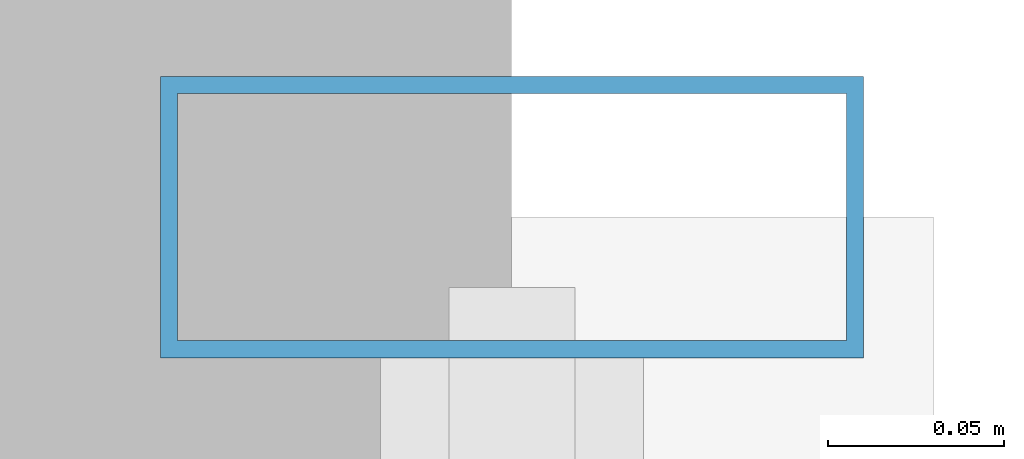
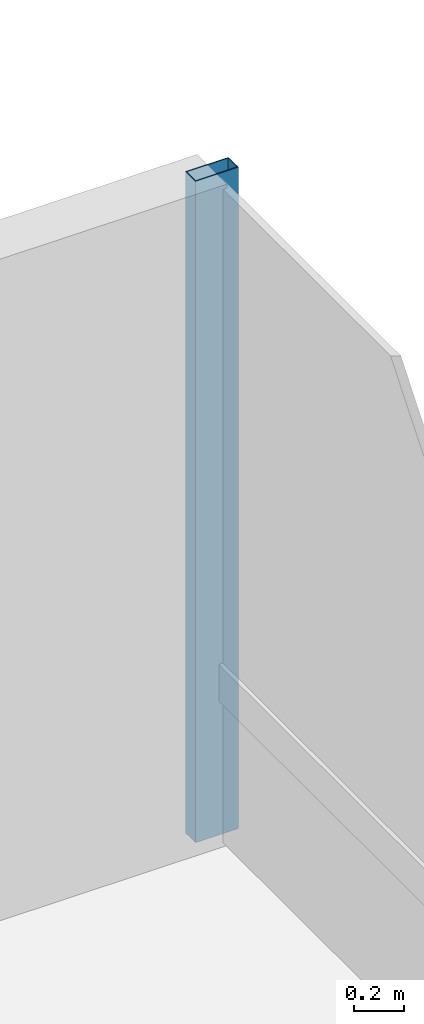
# One storey, part 26 of 34: 1 member, 1 element without a shape of its own.
"""IFC4 building model written with IfcOpenShell, lengths in metres."""

import ifcopenshell
import ifcopenshell.guid

model = None  # the IFC model being written
_history = None  # IfcOwnerHistory: only IFC2X3 demands one
_inside = {}  # id of a spatial element -> (the spatial element, [elements in it])
_under = {}  # id of a project, library or spatial element -> (it, [spatial elements below it])
_declared = {}  # id of a project -> (the project, [libraries it declares])
_typed = {}  # id of a type object -> (the type object, [elements of that type])
_made_of = {}  # id of a material, layer set ... -> (it, [elements and type objects made of it])


def new_model(schema):
    """Start an empty IFC model of exactly this schema.

    Asked for "IFC4X3", IfcOpenShell would pick the latest addendum, in which some entities
    have other attributes; the version numbers below select the first issue.
    IFC2X3 requires an IfcOwnerHistory on every rooted entity: one is made here for all.
    """
    global model, _history
    if schema == "IFC4X3":
        model = ifcopenshell.file(schema_version=(4, 3, 0, 0))
    else:
        model = ifcopenshell.file(schema=schema)
    _inside.clear()
    _under.clear()
    _declared.clear()
    _typed.clear()
    _made_of.clear()
    _history = None
    if model.schema == "IFC2X3":
        org = make("IfcOrganization", Name="unknown")
        user = make(
            "IfcPersonAndOrganization",
            ThePerson=make("IfcPerson", FamilyName="unknown"),
            TheOrganization=org,
        )
        app = make(
            "IfcApplication",
            ApplicationDeveloper=org,
            Version="unknown",
            ApplicationFullName="unknown",
            ApplicationIdentifier="unknown",
        )
        _history = make(
            "IfcOwnerHistory",
            OwningUser=user,
            OwningApplication=app,
            ChangeAction="ADDED",
            CreationDate=0,
        )
    return model


def make(cls, **values):
    """One entity of the class cls with the attributes given. An attribute that is None is left unset."""
    return model.create_entity(
        cls, **{name: value for name, value in values.items() if value is not None}
    )


def rooted(cls, **values):
    """An entity with a GlobalId (a new one), such as an element, a storey or a relation."""
    return make(cls, GlobalId=ifcopenshell.guid.new(), OwnerHistory=_history, **values)


def si_unit(unit_type, name, prefix=None):
    """IfcSIUnit, for example si_unit("LENGTHUNIT", "METRE", prefix="MILLI")."""
    return make("IfcSIUnit", UnitType=unit_type, Prefix=prefix, Name=name)


def assignment(units):
    """IfcUnitAssignment: the units of a project."""
    return None if units is None else make("IfcUnitAssignment", Units=units)


def point(xyz):
    """IfcCartesianPoint."""
    return None if xyz is None else make("IfcCartesianPoint", Coordinates=xyz)


def direction(xyz):
    """IfcDirection."""
    return None if xyz is None else make("IfcDirection", DirectionRatios=xyz)


def frame(location, z_axis=None, x_axis=None):
    """IfcAxis2Placement3D, a coordinate frame: its origin and axes. An axis left out is left unset."""
    return make(
        "IfcAxis2Placement3D",
        Location=point(location),
        Axis=direction(z_axis),
        RefDirection=direction(x_axis),
    )


def frame_2d(location, x_axis=None):
    """IfcAxis2Placement2D, a coordinate frame in the plane: its origin and x axis."""
    return make(
        "IfcAxis2Placement2D", Location=point(location), RefDirection=direction(x_axis)
    )


def origin():
    """The frame at (0, 0, 0) with its axes left unset."""
    return frame((0.0, 0.0, 0.0))


def origin_2d():
    """The frame at (0, 0) in the plane with its x axis left unset."""
    return frame_2d((0.0, 0.0))


def place(relative_to, where):
    """IfcLocalPlacement: puts the frame where relative to a parent placement (None: the world)."""
    return make(
        "IfcLocalPlacement", PlacementRelTo=relative_to, RelativePlacement=where
    )


def context(
    kind, dimensions, precision=None, world=None, true_north=None, identifier=None
):
    """IfcGeometricRepresentationContext, for example the 3D "Model" context."""
    return make(
        "IfcGeometricRepresentationContext",
        ContextIdentifier=identifier,
        ContextType=kind,
        CoordinateSpaceDimension=dimensions,
        Precision=precision,
        WorldCoordinateSystem=world,
        TrueNorth=true_north,
    )


def subcontext(parent, identifier, kind, view, scale=None):
    """IfcGeometricRepresentationSubContext, for example "Body" below "Model"."""
    return make(
        "IfcGeometricRepresentationSubContext",
        ContextIdentifier=identifier,
        ContextType=kind,
        ParentContext=parent,
        TargetScale=scale,
        TargetView=view,
    )


def project(units=None, contexts=None):
    """IfcProject with its units and contexts."""
    return rooted(
        "IfcProject",
        Name="project",
        RepresentationContexts=contexts,
        UnitsInContext=assignment(units),
    )


def spatial(cls, under=None, at=None, **own):
    """A site, building, storey or space (cls), placed at a placement, below another one or the project."""
    s = rooted(cls, ObjectPlacement=at, **own)
    if under is not None:
        _under.setdefault(under.id(), (under, []))[1].append(s)
    return s


def profile(cls, at=None, kind="AREA", **sizes):
    """A parametric profile (cls). Its sizes go by their IFC names, for example OverallWidth=200.0."""
    return make(cls, ProfileType=kind, Position=at, **sizes)


def hollow_rectangle(**sizes):
    """IfcRectangleHollowProfileDef."""
    return profile("IfcRectangleHollowProfileDef", **sizes)


def extrude(swept, where, along, depth):
    """IfcExtrudedAreaSolid: the profile swept, set in the frame where, extruded along a direction by depth."""
    return make(
        "IfcExtrudedAreaSolid",
        SweptArea=swept,
        Position=where,
        ExtrudedDirection=direction(along),
        Depth=depth,
    )


def shape(context_of_items, identifier, shape_type, items):
    """IfcShapeRepresentation: the items that make up one representation, for example the "Body"."""
    return make(
        "IfcShapeRepresentation",
        ContextOfItems=context_of_items,
        RepresentationIdentifier=identifier,
        RepresentationType=shape_type,
        Items=items,
    )


def material(Name=None, Category=None):
    """IfcMaterial."""
    return make("IfcMaterial", Name=Name, Category=Category)


def layer(
    of_material, thickness, ventilated=None, Name=None, Category=None, Priority=None
):
    """IfcMaterialLayer: one layer of a wall or slab, of a material (None: an air gap)."""
    return make(
        "IfcMaterialLayer",
        Material=of_material,
        LayerThickness=thickness,
        IsVentilated=ventilated,
        Name=Name,
        Category=Category,
        Priority=Priority,
    )


def layer_set(layers, Name=None):
    """IfcMaterialLayerSet."""
    return make("IfcMaterialLayerSet", MaterialLayers=layers, LayerSetName=Name)


def material_profile(
    of_material, cross_section, Name=None, Category=None, Priority=None
):
    """IfcMaterialProfile: a cross section and its material."""
    return make(
        "IfcMaterialProfile",
        Name=Name,
        Material=of_material,
        Profile=cross_section,
        Priority=Priority,
        Category=Category,
    )


def profile_set(profiles, Name=None, composite=None):
    """IfcMaterialProfileSet."""
    return make(
        "IfcMaterialProfileSet",
        Name=Name,
        MaterialProfiles=profiles,
        CompositeProfile=composite,
    )


def made_of(thing, what):
    """Note that an element or type object is made of a material, layer set ...; save() writes the relation."""
    if what is not None:
        _made_of.setdefault(what.id(), (what, []))[1].append(thing)
    return thing


def type_object(cls, material=None, **own):
    """A type object (cls), such as IfcWallType, which elements share."""
    return made_of(rooted(cls, **own), material)


def element(
    cls,
    number,
    at=None,
    inside=None,
    cuts=None,
    type_object=None,
    material=None,
    context=None,
    identifier="Body",
    shape_type=None,
    held_by="IfcProductDefinitionShape",
    body=None,
    shapes=None,
    **own,
):
    """One element of the class cls, such as IfcWall. Its Tag is "e" and its number.

    at: its placement. inside: the storey or other place that contains it. cuts: it is an
    opening in that element (IfcRelVoidsElement). A single representation is given by context,
    identifier, shape_type and body (its items); several are given by shapes. held_by: the class
    of the entity that holds the representations. save() writes the other relations.
    """
    e = rooted(cls, Tag="e%d" % number, ObjectPlacement=at, **own)
    if body is not None:
        shapes = [shape(context, identifier, shape_type, body)]
    if shapes is not None:
        e.Representation = make(held_by, Representations=shapes)
    if inside is not None:
        _inside.setdefault(inside.id(), (inside, []))[1].append(e)
    if cuts is not None:
        rooted(
            "IfcRelVoidsElement", RelatingBuildingElement=cuts, RelatedOpeningElement=e
        )
    if type_object is not None:
        _typed.setdefault(type_object.id(), (type_object, []))[1].append(e)
    return made_of(e, material)


def aggregate(whole, parts):
    """IfcRelAggregates: a whole, such as a stair, and the parts it consists of."""
    return rooted("IfcRelAggregates", RelatingObject=whole, RelatedObjects=parts)


def save(model, path):
    """Write the relations noted so far, then the file.

    IfcRelAggregates (storeys below a building ...), IfcRelContainedInSpatialStructure (elements
    in a storey), IfcRelDefinesByType, IfcRelAssociatesMaterial and IfcRelDeclares: one each for
    every whole, place, type object, material and project.
    """
    for whole, parts in _under.values():
        aggregate(whole, parts)
    for where, things in _inside.values():
        rooted(
            "IfcRelContainedInSpatialStructure",
            RelatedElements=things,
            RelatingStructure=where,
        )
    for kind, things in _typed.values():
        rooted("IfcRelDefinesByType", RelatedObjects=things, RelatingType=kind)
    for what, things in _made_of.values():
        rooted("IfcRelAssociatesMaterial", RelatedObjects=things, RelatingMaterial=what)
    for by, libraries in _declared.values():
        rooted("IfcRelDeclares", RelatingContext=by, RelatedDefinitions=libraries)
    model.write(path)


model = new_model("IFC4")

# Units and contexts
model_context = context("Model", 3, precision=1e-05, world=origin(), true_north=direction((0.0, 1.0)))
body_context = subcontext(model_context, "Body", "Model", "MODEL_VIEW")
ifc_project = project(units=[si_unit("LENGTHUNIT", "METRE"), si_unit("AREAUNIT", "SQUARE_METRE"), si_unit("VOLUMEUNIT", "CUBIC_METRE"), si_unit("PLANEANGLEUNIT", "RADIAN"), si_unit("MASSUNIT", "GRAM", prefix="KILO")], contexts=[model_context])

# Site, building, storey
site_placement = place(None, origin())
site = spatial("IfcSite", under=ifc_project, at=site_placement, CompositionType="ELEMENT")
building_placement = place(site_placement, origin())
building = spatial("IfcBuilding", under=site, at=building_placement, Name="Drelvath Grand Hotel", CompositionType="ELEMENT")
storey_placement = place(building_placement, frame((0.0, 0.0, 133.800048828125)))
storey = spatial("IfcBuildingStorey", under=building, at=storey_placement, Name="L34", CompositionType="ELEMENT", Elevation=133.800048828125)

# Curtain wall, member
ifc_material = material(Name="Champagne Bronze Anodised Aluminium Frame", Category="aluminium")
ifc_layer = layer(ifc_material, 0.199951171875)
ifc_layer_set = layer_set([ifc_layer], Name="Champagne Bronze Anodised Aluminium Frame")
curtain_wall_type = type_object("IfcCurtainWallType", Name="Stick Curtain Wall CW-03 Champagne Bronze Mid-Rise", PredefinedType="NOTDEFINED", material=ifc_layer_set)
curtain_wall_placement = place(storey_placement, origin())
curtain_wall = element("IfcCurtainWall", 1, at=curtain_wall_placement, inside=storey, type_object=curtain_wall_type, Name="L34 CW-03 Curtain Wall CW03-L34-EN3", PredefinedType="NOTDEFINED")
ifc_material_profile = material_profile(ifc_material, hollow_rectangle(XDim=0.080078125, YDim=0.199951171875, WallThickness=0.0048828125, at=origin_2d()), Name="HSS200X80X5")
ifc_profile_set = profile_set([ifc_material_profile], Name="Champagne Bronze Anodised Aluminium Frame")
member_type = type_object("IfcMemberType", Name="Curtain Wall Vertical Mullion CW-03 HSS200X80X5", PredefinedType="MULLION", material=ifc_profile_set)
member_placement = place(storey_placement, frame((22.080078125, 49.5, 0.0), z_axis=(0.0, 0.0, 1.0), x_axis=(0.0, 1.0, 0.0)))
member = element("IfcMember", 2, at=member_placement, type_object=member_type, Name="CW03-L34-EN3 Mullion 1", PredefinedType="MULLION", context=body_context, shape_type="SweptSolid", body=[
    extrude(hollow_rectangle(XDim=0.080078125, YDim=0.199951171875, WallThickness=0.0048828125, at=origin_2d()), origin(), (0.0, 0.0, 1.0), 3.239990234375),
])
aggregate(curtain_wall, [member])

save(model, "model.ifc")
